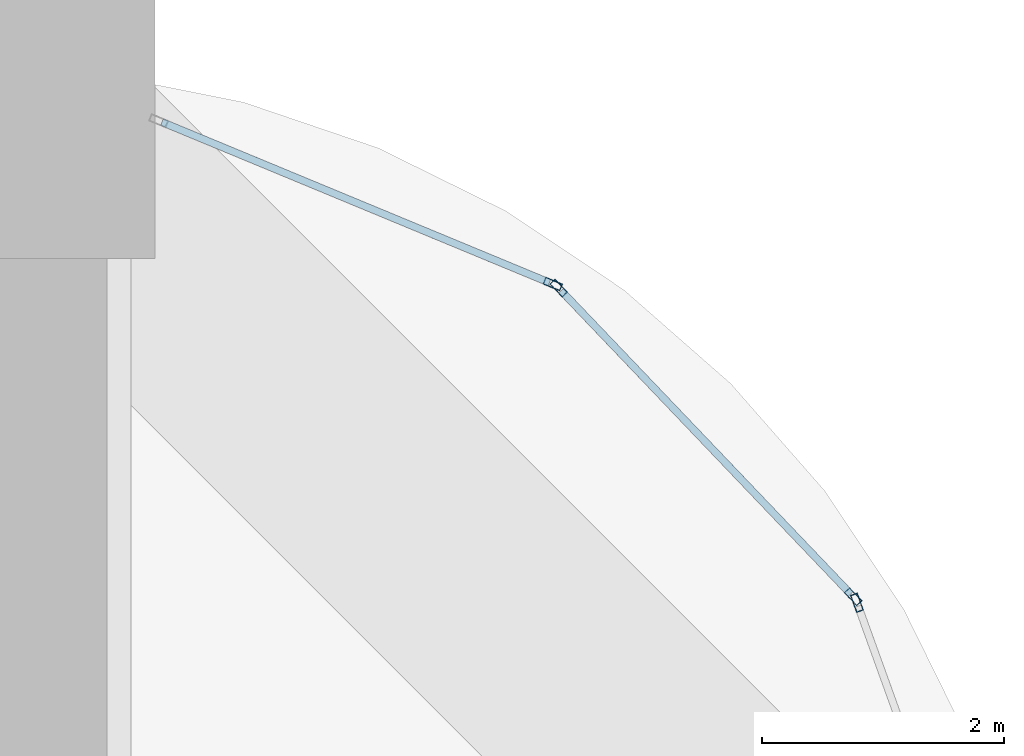
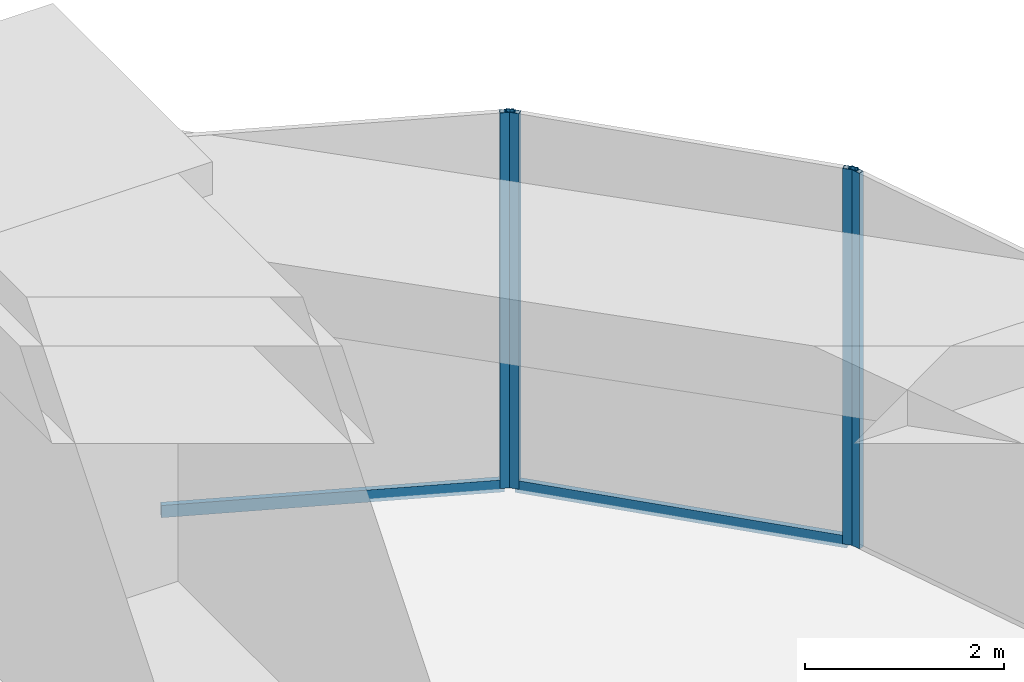
# One storey, part 31 of 35: 6 members, 3 elements without a shape of their own.
"""IFC4 building model written with IfcOpenShell, lengths in metres."""

from ifc_helpers import new_model, si_unit, direction, frame, origin, origin_2d, place, context, subcontext, project, spatial, hollow_rectangle, extrude, material, material_profile, profile_set, type_object, element, aggregate, save


model = new_model("IFC4")

# Units and contexts
model_context = context("Model", 3, precision=1e-05, world=origin(), true_north=direction((0.0, 1.0)))
body_context = subcontext(model_context, "Body", "Model", "MODEL_VIEW")
ifc_project = project(units=[si_unit("LENGTHUNIT", "METRE"), si_unit("AREAUNIT", "SQUARE_METRE"), si_unit("VOLUMEUNIT", "CUBIC_METRE"), si_unit("PLANEANGLEUNIT", "RADIAN"), si_unit("MASSUNIT", "GRAM", prefix="KILO")], contexts=[model_context])

# Site, building, storey
site_placement = place(None, origin())
site = spatial("IfcSite", under=ifc_project, at=site_placement, CompositionType="ELEMENT")
building_placement = place(site_placement, origin())
building = spatial("IfcBuilding", under=site, at=building_placement, Name="Zorevar Civic Tower", CompositionType="ELEMENT")
storey_placement = place(building_placement, frame((0.0, 0.0, 80.0)))
storey = spatial("IfcBuildingStorey", under=building, at=storey_placement, Name="L19", CompositionType="ELEMENT", Elevation=80.0)

# Curtain wall, member
ifc_material_1 = material(Name="Black aluminium louvres", Category="aluminium")
curtain_wall_type = type_object("IfcCurtainWallType", Name="Louvred curtain wall CW6 refuge", PredefinedType="NOTDEFINED", material=ifc_material_1)
curtain_wall_1_placement = place(storey_placement, origin())
curtain_wall_1 = element("IfcCurtainWall", 1, at=curtain_wall_1_placement, inside=storey, type_object=curtain_wall_type, Name="CW6 L19", PredefinedType="NOTDEFINED")
ifc_material_2 = material(Name="Aluminium, black anodised", Category="aluminium")
ifc_material_profile_1 = material_profile(ifc_material_2, hollow_rectangle(XDim=0.06005859375, YDim=0.14990234375, WallThickness=0.00390625, at=origin_2d()), Name="AL 150x60x4")
ifc_profile_set_1 = profile_set([ifc_material_profile_1], Name="Aluminium, black anodised")
member_type_1 = type_object("IfcMemberType", Name="CW6 mullion AL 150x60x4", PredefinedType="MULLION", material=ifc_profile_set_1)
member_1_placement = place(storey_placement, frame((61.407958984375, 49.55029296875, 0.0), z_axis=(0.0, 0.0, 1.0), x_axis=(-0.940636829761, -0.339414723454, 0.0)))
member_1 = element("IfcMember", 2, at=member_1_placement, type_object=member_type_1, Name="CW6 mullion 2", PredefinedType="MULLION", context=body_context, shape_type="SweptSolid", body=[
    extrude(hollow_rectangle(XDim=0.06005859375, YDim=0.14990234375, WallThickness=0.00390625, at=origin_2d()), origin(), (0.0, 0.0, 1.0), 4.60009765625),
])
aggregate(curtain_wall_1, [member_1])

# Curtain wall, members
curtain_wall_2_placement = place(storey_placement, origin())
curtain_wall_2 = element("IfcCurtainWall", 3, at=curtain_wall_2_placement, inside=storey, type_object=curtain_wall_type, Name="CW6 L19", PredefinedType="NOTDEFINED")
member_2_placement = place(storey_placement, frame((61.376953125, 49.60009765625, 0.0), z_axis=(0.0, 0.0, 1.0), x_axis=(-0.723392628671, -0.690436894136, 0.0)))
member_2 = element("IfcMember", 4, at=member_2_placement, type_object=member_type_1, Name="CW6 mullion 1", PredefinedType="MULLION", context=body_context, shape_type="SweptSolid", body=[
    extrude(hollow_rectangle(XDim=0.06005859375, YDim=0.14990234375, WallThickness=0.00390625, at=origin_2d()), origin(), (0.0, 0.0, 1.0), 4.60009765625),
])
member_3_placement = place(storey_placement, frame((58.938720703125, 52.15478515625, 0.0), z_axis=(0.0, 0.0, 1.0), x_axis=(-0.723392628671, -0.690436894136, 0.0)))
member_3 = element("IfcMember", 5, at=member_3_placement, type_object=member_type_1, Name="CW6 mullion 2", PredefinedType="MULLION", context=body_context, shape_type="SweptSolid", body=[
    extrude(hollow_rectangle(XDim=0.06005859375, YDim=0.14990234375, WallThickness=0.00390625, at=origin_2d()), origin(), (0.0, 0.0, 1.0), 4.60009765625),
])

# Curtain wall, member
curtain_wall_3_placement = place(storey_placement, origin())
curtain_wall_3 = element("IfcCurtainWall", 6, at=curtain_wall_3_placement, inside=storey, type_object=curtain_wall_type, Name="CW6 L19", PredefinedType="NOTDEFINED")
member_4_placement = place(storey_placement, frame((58.890380859375, 52.18798828125, 0.0), z_axis=(0.0, 0.0, 1.0), x_axis=(-0.382841193399, -0.92381416997, 0.0)))
member_4 = element("IfcMember", 7, at=member_4_placement, type_object=member_type_1, Name="CW6 mullion 1", PredefinedType="MULLION", context=body_context, shape_type="SweptSolid", body=[
    extrude(hollow_rectangle(XDim=0.06005859375, YDim=0.14990234375, WallThickness=0.00390625, at=origin_2d()), origin(), (0.0, 0.0, 1.0), 4.60009765625),
])

# Member
ifc_material_3 = material(Name="Aluminium, black anodised", Category="aluminium")
ifc_material_profile_2 = material_profile(ifc_material_3, hollow_rectangle(XDim=0.06005859375, YDim=0.14990234375, WallThickness=0.00390625, at=origin_2d()), Name="AL 150x60x4")
ifc_profile_set_2 = profile_set([ifc_material_profile_2], Name="Aluminium, black anodised")
member_type_2 = type_object("IfcMemberType", Name="CW6 transom AL 150x60x4", PredefinedType="USERDEFINED", material=ifc_profile_set_2)
member_5_placement = place(storey_placement, frame((61.3564453125, 49.621826171875, 0.030029296875), z_axis=(-0.690459020354, 0.723371509815, 0.0), x_axis=(-0.723371509815, -0.690459020354, 0.0)))
member_5 = element("IfcMember", 8, at=member_5_placement, type_object=member_type_2, Name="CW6 sill transom", ObjectType="TRANSOM", PredefinedType="USERDEFINED", context=body_context, shape_type="SweptSolid", body=[
    extrude(hollow_rectangle(XDim=0.06005859375, YDim=0.14990234375, WallThickness=0.00390625, at=origin_2d()), origin(), (0.0, 0.0, 1.0), 3.4716796875),
])

aggregate(curtain_wall_2, [member_2, member_3, member_5])

member_6_placement = place(storey_placement, frame((58.862548828125, 52.199462890625, 0.030029296875), z_axis=(-0.923807642827, 0.382856943328, 0.0), x_axis=(-0.382856943328, -0.923807642827, 0.0)))
member_6 = element("IfcMember", 9, at=member_6_placement, type_object=member_type_2, Name="CW6 sill transom", ObjectType="TRANSOM", PredefinedType="USERDEFINED", context=body_context, shape_type="SweptSolid", body=[
    extrude(hollow_rectangle(XDim=0.06005859375, YDim=0.14990234375, WallThickness=0.00390625, at=origin_2d()), origin(), (0.0, 0.0, 1.0), 3.471435546875),
])

aggregate(curtain_wall_3, [member_4, member_6])

save(model, "model.ifc")
